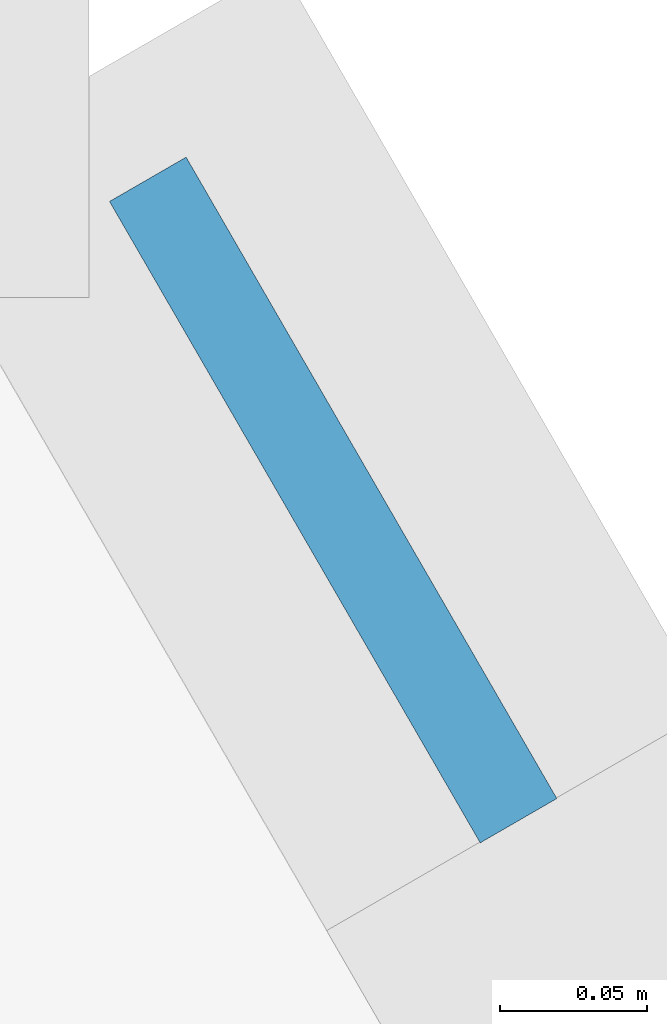
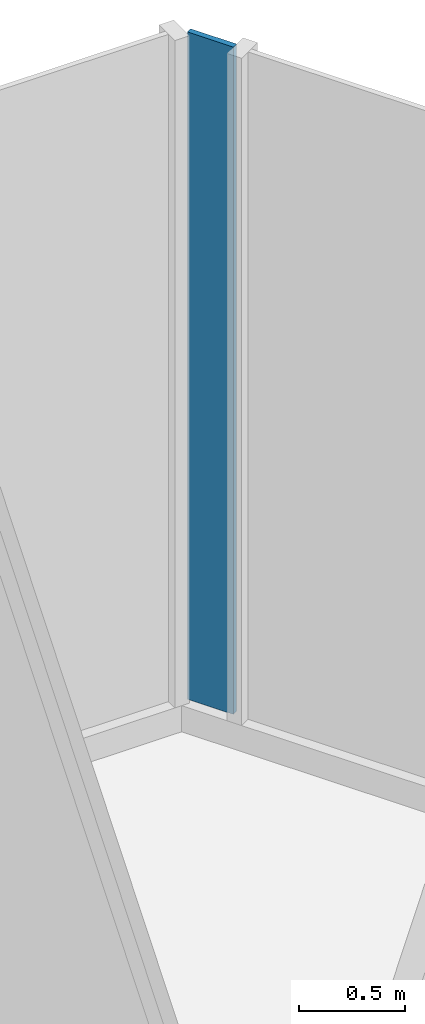
# One storey, part 21 of 29: 1 plate, 1 element without a shape of its own.
"""IFC4 building model written with IfcOpenShell, lengths in metres."""

from ifc_helpers import new_model, si_unit, direction, frame, origin, place, context, subcontext, project, spatial, polyline, outline, extrude, material, layer, layer_set, type_object, element, aggregate, save


model = new_model("IFC4")

# Units and contexts
model_context = context("Model", 3, precision=1e-05, world=origin(), true_north=direction((0.0, 1.0)))
body_context = subcontext(model_context, "Body", "Model", "MODEL_VIEW")
ifc_project = project(units=[si_unit("LENGTHUNIT", "METRE"), si_unit("AREAUNIT", "SQUARE_METRE"), si_unit("VOLUMEUNIT", "CUBIC_METRE"), si_unit("PLANEANGLEUNIT", "RADIAN"), si_unit("MASSUNIT", "GRAM", prefix="KILO")], contexts=[model_context])

# Site, building, storey
site_placement = place(None, origin())
site = spatial("IfcSite", under=ifc_project, at=site_placement, CompositionType="ELEMENT")
building_placement = place(site_placement, origin())
building = spatial("IfcBuilding", under=site, at=building_placement, Name="Firuza Gate Tower and Library", CompositionType="ELEMENT")
storey_placement = place(building_placement, frame((0.0, 0.0, 44.199951171875)))
storey = spatial("IfcBuildingStorey", under=building, at=storey_placement, Name="L09", CompositionType="ELEMENT", Elevation=44.199951171875)

# Curtain wall, plate
ifc_material_1 = material(Name="Aluminium 6063-T6", Category="aluminium")
ifc_layer_1 = layer(ifc_material_1, 0.14990234375)
ifc_layer_set_1 = layer_set([ifc_layer_1], Name="Unitised curtain wall, offices")
curtain_wall_type = type_object("IfcCurtainWallType", Name="Unitised curtain wall, offices", PredefinedType="NOTDEFINED", material=ifc_layer_set_1)
curtain_wall_placement = place(storey_placement, origin())
curtain_wall = element("IfcCurtainWall", 1, at=curtain_wall_placement, inside=storey, type_object=curtain_wall_type, Name="CW1 L09 E face", PredefinedType="NOTDEFINED")
ifc_material_2 = material(Name="Glazed ceramic tile")
ifc_layer_2 = layer(ifc_material_2, 0.030029296875)
ifc_layer_set_2 = layer_set([ifc_layer_2], Name="Opaque ceramic panel, offices")
plate_type = type_object("IfcPlateType", Name="Opaque ceramic panel, offices", PredefinedType="CURTAIN_PANEL", material=ifc_layer_set_2)
plate_placement = place(storey_placement, frame((78.802001953125, 110.1640625, 0.150146484375), z_axis=(0.865780878536, 0.500423291185, 0.0), x_axis=(-0.500423291185, 0.865780878536, 0.0)))
plate = element("IfcPlate", 2, at=plate_placement, type_object=plate_type, Name="Opaque ceramic panel", PredefinedType="CURTAIN_PANEL", context=body_context, shape_type="SweptSolid", body=[
    extrude(outline(polyline([(0.0, 0.0), (0.2512521381192305, 0.0), (0.2512521381192305, 3.849853515625), (0.0, 3.849853515625), (0.0, 0.0)])), origin(), (0.0, 0.0, -1.0), 0.030029296875),
])
aggregate(curtain_wall, [plate])

save(model, "model.ifc")
